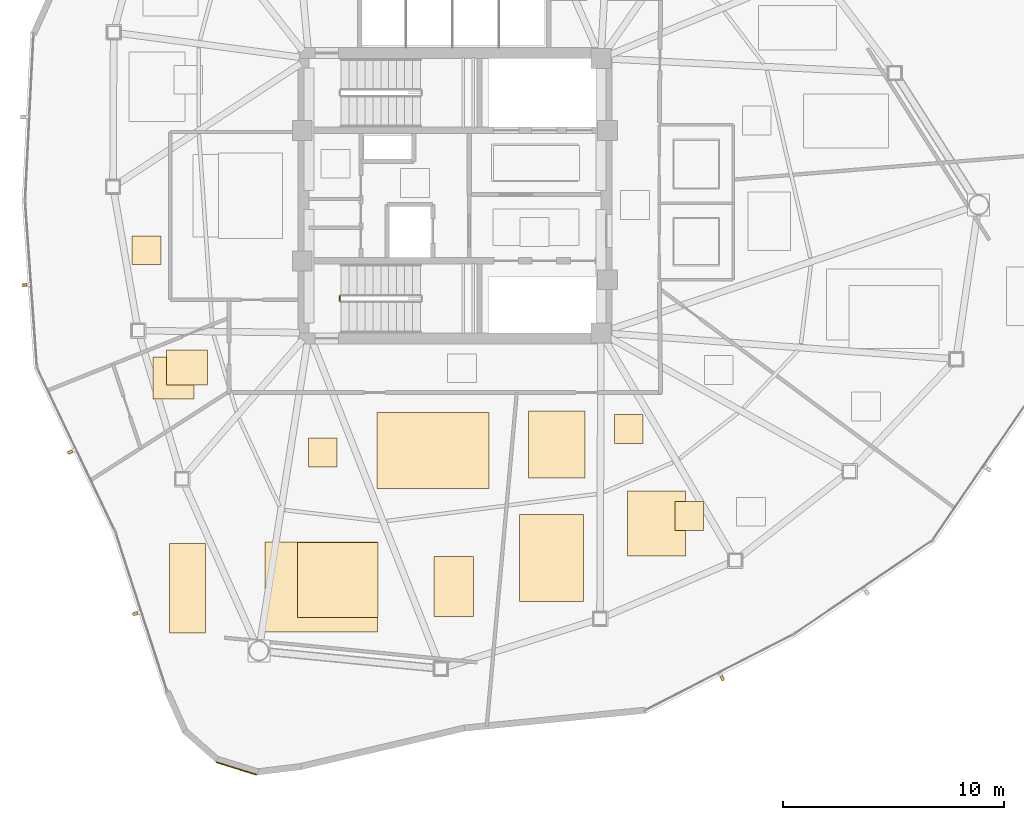
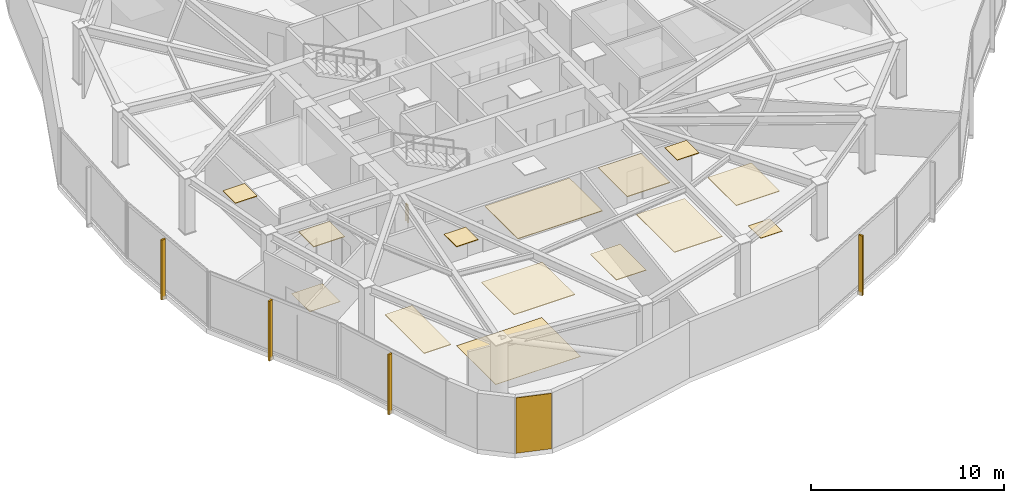
# One storey, part 14 of 17: 15 coverings, 4 shading devices, 1 railing.
"""IFC4 building model written with IfcOpenShell, lengths in metres."""

from ifc_helpers import new_model, si_unit, direction, frame, origin, origin_2d, place, context, subcontext, project, spatial, polyline, rectangle, outline, extrude, source, transform, mapped, material, layer, layer_set, type_object, type_shapes, element, save


model = new_model("IFC4")

# Units and contexts
model_context = context("Model", 3, precision=1e-05, world=origin(), true_north=direction((0.0, 1.0)))
body_context = subcontext(model_context, "Body", "Model", "MODEL_VIEW")
ifc_project = project(units=[si_unit("LENGTHUNIT", "METRE"), si_unit("AREAUNIT", "SQUARE_METRE"), si_unit("VOLUMEUNIT", "CUBIC_METRE"), si_unit("PLANEANGLEUNIT", "RADIAN"), si_unit("MASSUNIT", "GRAM", prefix="KILO")], contexts=[model_context])

# Site, building, storey
site_placement = place(None, origin())
site = spatial("IfcSite", under=ifc_project, at=site_placement, CompositionType="ELEMENT")
building_placement = place(site_placement, origin())
building = spatial("IfcBuilding", under=site, at=building_placement, Name="Tavelor Broadcast Tower", CompositionType="ELEMENT")
storey_placement = place(building_placement, frame((0.0, 0.0, 161.800048828125)))
storey = spatial("IfcBuildingStorey", under=building, at=storey_placement, Name="L38", CompositionType="ELEMENT", Elevation=161.800048828125)

# Coverings
ifc_material_1 = material(Name="Copper-Bronze Anodized Aluminium", Category="aluminium")
ifc_layer_1 = layer(ifc_material_1, 0.050048828125)
ifc_layer_set_1 = layer_set([ifc_layer_1], Name="Copper-Bronze Anodized Aluminium")
covering_type_1 = type_object("IfcCoveringType", Name="Champagne-Bronze Corner Pier Metal Cladding 50 mm", PredefinedType="CLADDING", material=ifc_layer_set_1)
covering_1_placement = place(storey_placement, frame((40.126953125, 19.10400390625, 0.02001953125), z_axis=(0.0, 0.0, 1.0), x_axis=(0.955019944457, -0.296541574976, 0.0)))
element("IfcCovering", 1, at=covering_1_placement, inside=storey, type_object=covering_type_1, Name="L38 Champagne-Bronze Corner Cladding 13", PredefinedType="CLADDING", context=body_context, shape_type="SweptSolid", body=[
    extrude(rectangle(XDim=1.893798828125, YDim=0.050048828125, at=origin_2d()), origin(), (0.0, 0.0, 1.0), 3.510009765625),
])
ifc_material_2 = material(Name="Acoustic Nylon Carpet Tile")
ifc_layer_2 = layer(ifc_material_2, 0.02001953125)
ifc_layer_set_2 = layer_set([ifc_layer_2], Name="Acoustic Nylon Carpet Tile")
covering_type_2 = type_object("IfcCoveringType", Name="Heavy-Duty Acoustic Broadcast Carpet Tile 20 mm", PredefinedType="FLOORING", material=ifc_layer_set_2)
covering_2_placement = place(storey_placement, origin())
element("IfcCovering", 2, at=covering_2_placement, inside=storey, type_object=covering_type_2, Name="L38 Broadcast Floor Finish 0561", PredefinedType="FLOORING", context=body_context, shape_type="SweptSolid", body=[
    extrude(outline(polyline([(59.946044921875, 29.867431640625), (61.24609375, 29.867431640625), (61.24609375, 31.16748046875), (59.946044921875, 31.16748046875), (59.946044921875, 29.867431640625)])), origin(), (0.0, 0.0, 1.0), 0.02001953125),
])
covering_3_placement = place(storey_placement, origin())
element("IfcCovering", 3, at=covering_3_placement, inside=storey, type_object=covering_type_2, Name="L38 Broadcast Floor Finish 0562", PredefinedType="FLOORING", context=body_context, shape_type="SweptSolid", body=[
    extrude(outline(polyline([(41.41748046875, 25.282470703125), (46.510009765625, 25.282470703125), (46.510009765625, 29.33544921875), (41.41748046875, 29.33544921875), (41.41748046875, 25.282470703125)])), origin(), (0.0, 0.0, 1.0), 0.02001953125),
])
covering_4_placement = place(storey_placement, origin())
element("IfcCovering", 4, at=covering_4_placement, inside=storey, type_object=covering_type_2, Name="L38 Broadcast Floor Finish 0568", PredefinedType="FLOORING", context=body_context, shape_type="SweptSolid", body=[
    extrude(outline(polyline([(36.3564453125, 35.811279296875), (38.2001953125, 35.811279296875), (38.2001953125, 37.701904296875), (36.3564453125, 37.701904296875), (36.3564453125, 35.811279296875)])), origin(), (0.0, 0.0, 1.0), 0.02001953125),
])

# Railing
ifc_material_3 = material(Name="Steel S355", Category="steel")
railing_type = type_object("IfcRailingType", Name="Stairwell Steel Safety Guardrail 1150 mm", PredefinedType="GUARDRAIL", material=ifc_material_3)
railing_placement = place(storey_placement, frame((44.800048828125, 40.25, 0.0)))
element("IfcRailing", 5, at=railing_placement, inside=storey, type_object=railing_type, Name="L38 ST2 stair guard 4", PredefinedType="GUARDRAIL", context=body_context, shape_type="SweptSolid", body=[
    extrude(rectangle(XDim=0.048095703125, YDim=0.048095703125, at=origin_2d()), frame((0.0, 0.0, 1.1259765625), z_axis=(0.0, 1.0, 0.0), x_axis=(-1.0, 0.0, 0.0)), (0.0, 0.0, 1.0), 0.199951171875),
    extrude(rectangle(XDim=0.0419921875, YDim=0.0419921875, at=origin_2d()), origin(), (0.0, 0.0, 1.0), 1.101806640625),
    extrude(rectangle(XDim=0.0419921875, YDim=0.0419921875, at=origin_2d()), frame((0.0, 0.199951171875, 0.0)), (0.0, 0.0, 1.0), 1.101806640625),
])

# Coverings
ifc_material_4 = material(Name="Acoustic Mineral Fibre Tile")
ifc_layer_3 = layer(ifc_material_4, 0.0400390625)
ifc_layer_set_3 = layer_set([ifc_layer_3], Name="Acoustic Mineral Fibre Tile")
covering_type_3 = type_object("IfcCoveringType", Name="Suspended Acoustic Mineral-Fibre Office Ceiling 40 mm", PredefinedType="CEILING", material=ifc_layer_set_3)
covering_5_placement = place(storey_placement, frame((0.0, 0.0, 3.510009765625)))
element("IfcCovering", 6, at=covering_5_placement, inside=storey, type_object=covering_type_3, Name="L38 Suspended Acoustic Ceiling 1580", PredefinedType="CEILING", context=body_context, shape_type="SweptSolid", body=[
    extrude(outline(polyline([(52.917236328125, 26.654052734375), (55.805908203125, 26.654052734375), (55.805908203125, 30.59716796875), (52.917236328125, 30.59716796875), (52.917236328125, 26.654052734375)])), origin(), (0.0, 0.0, 1.0), 0.0400390625),
])
covering_6_placement = place(storey_placement, frame((0.0, 0.0, 3.510009765625)))
element("IfcCovering", 7, at=covering_6_placement, inside=storey, type_object=covering_type_3, Name="L38 Suspended Acoustic Ceiling 1581", PredefinedType="CEILING", context=body_context, shape_type="SweptSolid", body=[
    extrude(outline(polyline([(53.3173828125, 32.235107421875), (55.88232421875, 32.235107421875), (55.88232421875, 35.26416015625), (53.3173828125, 35.26416015625), (53.3173828125, 32.235107421875)])), origin(), (0.0, 0.0, 1.0), 0.0400390625),
])
covering_7_placement = place(storey_placement, frame((0.0, 0.0, 3.510009765625)))
element("IfcCovering", 8, at=covering_7_placement, inside=storey, type_object=covering_type_3, Name="L38 Suspended Acoustic Ceiling 1582", PredefinedType="CEILING", context=body_context, shape_type="SweptSolid", body=[
    extrude(outline(polyline([(57.20849609375, 33.800048828125), (58.508544921875, 33.800048828125), (58.508544921875, 35.10009765625), (57.20849609375, 35.10009765625), (57.20849609375, 33.800048828125)])), origin(), (0.0, 0.0, 1.0), 0.0400390625),
])
covering_8_placement = place(storey_placement, frame((0.0, 0.0, 3.510009765625)))
element("IfcCovering", 9, at=covering_8_placement, inside=storey, type_object=covering_type_3, Name="L38 Suspended Acoustic Ceiling 1584", PredefinedType="CEILING", context=body_context, shape_type="SweptSolid", body=[
    extrude(outline(polyline([(57.80078125, 28.716064453125), (60.418212890625, 28.716064453125), (60.418212890625, 31.65087890625), (57.80078125, 31.65087890625), (57.80078125, 28.716064453125)])), origin(), (0.0, 0.0, 1.0), 0.0400390625),
])
covering_9_placement = place(storey_placement, frame((0.0, 0.0, 3.510009765625)))
element("IfcCovering", 10, at=covering_9_placement, inside=storey, type_object=covering_type_3, Name="L38 Suspended Acoustic Ceiling 1585", PredefinedType="CEILING", context=body_context, shape_type="SweptSolid", body=[
    extrude(outline(polyline([(46.48876953125, 31.765625), (51.5537109375, 31.765625), (51.5537109375, 35.1875), (46.48876953125, 35.1875), (46.48876953125, 31.765625)])), origin(), (0.0, 0.0, 1.0), 0.0400390625),
])
covering_10_placement = place(storey_placement, frame((0.0, 0.0, 3.510009765625)))
element("IfcCovering", 11, at=covering_10_placement, inside=storey, type_object=covering_type_3, Name="L38 Suspended Acoustic Ceiling 1586", PredefinedType="CEILING", context=body_context, shape_type="SweptSolid", body=[
    extrude(outline(polyline([(49.0546875, 25.985595703125), (50.84716796875, 25.985595703125), (50.84716796875, 28.692138671875), (49.0546875, 28.692138671875), (49.0546875, 25.985595703125)])), origin(), (0.0, 0.0, 1.0), 0.0400390625),
])
covering_11_placement = place(storey_placement, frame((0.0, 0.0, 3.510009765625)))
element("IfcCovering", 12, at=covering_11_placement, inside=storey, type_object=covering_type_3, Name="L38 Suspended Acoustic Ceiling 1587", PredefinedType="CEILING", context=body_context, shape_type="SweptSolid", body=[
    extrude(outline(polyline([(42.8876953125, 25.924560546875), (46.53515625, 25.924560546875), (46.53515625, 29.311279296875), (42.8876953125, 29.311279296875), (42.8876953125, 25.924560546875)])), origin(), (0.0, 0.0, 1.0), 0.0400390625),
])
covering_12_placement = place(storey_placement, frame((0.0, 0.0, 3.510009765625)))
element("IfcCovering", 13, at=covering_12_placement, inside=storey, type_object=covering_type_3, Name="L38 Suspended Acoustic Ceiling 1588", PredefinedType="CEILING", context=body_context, shape_type="SweptSolid", body=[
    extrude(outline(polyline([(37.094970703125, 25.225341796875), (38.72216796875, 25.225341796875), (38.72216796875, 29.282958984375), (37.094970703125, 29.282958984375), (37.094970703125, 25.225341796875)])), origin(), (0.0, 0.0, 1.0), 0.0400390625),
])
covering_13_placement = place(storey_placement, frame((0.0, 0.0, 3.510009765625)))
element("IfcCovering", 14, at=covering_13_placement, inside=storey, type_object=covering_type_3, Name="L38 Suspended Acoustic Ceiling 1589", PredefinedType="CEILING", context=body_context, shape_type="SweptSolid", body=[
    extrude(outline(polyline([(43.381591796875, 32.73583984375), (44.681640625, 32.73583984375), (44.681640625, 34.035888671875), (43.381591796875, 34.035888671875), (43.381591796875, 32.73583984375)])), origin(), (0.0, 0.0, 1.0), 0.0400390625),
])
covering_14_placement = place(storey_placement, frame((0.0, 0.0, 3.510009765625)))
element("IfcCovering", 15, at=covering_14_placement, inside=storey, type_object=covering_type_3, Name="L38 Suspended Acoustic Ceiling 1593", PredefinedType="CEILING", context=body_context, shape_type="SweptSolid", body=[
    extrude(outline(polyline([(35.409912109375, 41.885498046875), (36.7099609375, 41.885498046875), (36.7099609375, 43.185302734375), (35.409912109375, 43.185302734375), (35.409912109375, 41.885498046875)])), origin(), (0.0, 0.0, 1.0), 0.0400390625),
])
covering_15_placement = place(storey_placement, frame((0.0, 0.0, 3.510009765625)))
element("IfcCovering", 16, at=covering_15_placement, inside=storey, type_object=covering_type_3, Name="L38 Suspended Acoustic Ceiling 1612", PredefinedType="CEILING", context=body_context, shape_type="SweptSolid", body=[
    extrude(outline(polyline([(36.958740234375, 36.43310546875), (38.82080078125, 36.43310546875), (38.82080078125, 38.0283203125), (36.958740234375, 38.0283203125), (36.958740234375, 36.43310546875)])), origin(), (0.0, 0.0, 1.0), 0.0400390625),
])

# Shading devices
ifc_material_5 = material(Name="Kiln-Fired Glazed Terracotta", Category="masonry")
shading_device_type = type_object("IfcShadingDeviceType", Name="Extruded Terracotta Baguette Sun-Screen 110x240", PredefinedType="JALOUSIE", material=ifc_material_5)
shared_shape = source(origin(), body_context, "Body", "SweptSolid", [
    extrude(rectangle(XDim=0.110107421875, YDim=0.239990234375, at=origin_2d()), origin(), (0.0, 0.0, 1.0), 3.7900390625),
])
type_shapes(shading_device_type, [shared_shape])
for number, where, z_axis, x_axis, name in (
    (17, (30.544189453125, 40.9609375, -0.260009765625), (0.0, 0.0, 1.0), (0.070975175783, -0.997478082177, 0.0), "L38 Terracotta Baguette Fin 386"),
    (18, (32.604736328125, 33.40478515625, -0.260009765625), (0.0, 0.0, 1.0), (0.431298587031, -0.902209248913, 0.0), "L38 Terracotta Baguette Fin 387"),
    (19, (35.543701171875, 26.101318359375, -0.260009765625), (0.0, 0.0, 1.0), (0.308684994204, -0.951164325631, 0.0), "L38 Terracotta Baguette Fin 388"),
    (20, (62.088623046875, 23.1865234375, -0.260009765625), (0.0, 0.0, 1.0), (0.889974159838, 0.456010959102, 0.0), "L38 Terracotta Baguette Fin 389"),
):
    element("IfcShadingDevice", number, at=place(storey_placement, frame(where, z_axis=z_axis, x_axis=x_axis)), inside=storey, type_object=shading_device_type, Name=name, PredefinedType="JALOUSIE", context=body_context, shape_type="MappedRepresentation", body=[
        mapped(shared_shape, transform((0.0, 0.0, 0.0), scale=1.0)),
    ])

save(model, "model.ifc")
